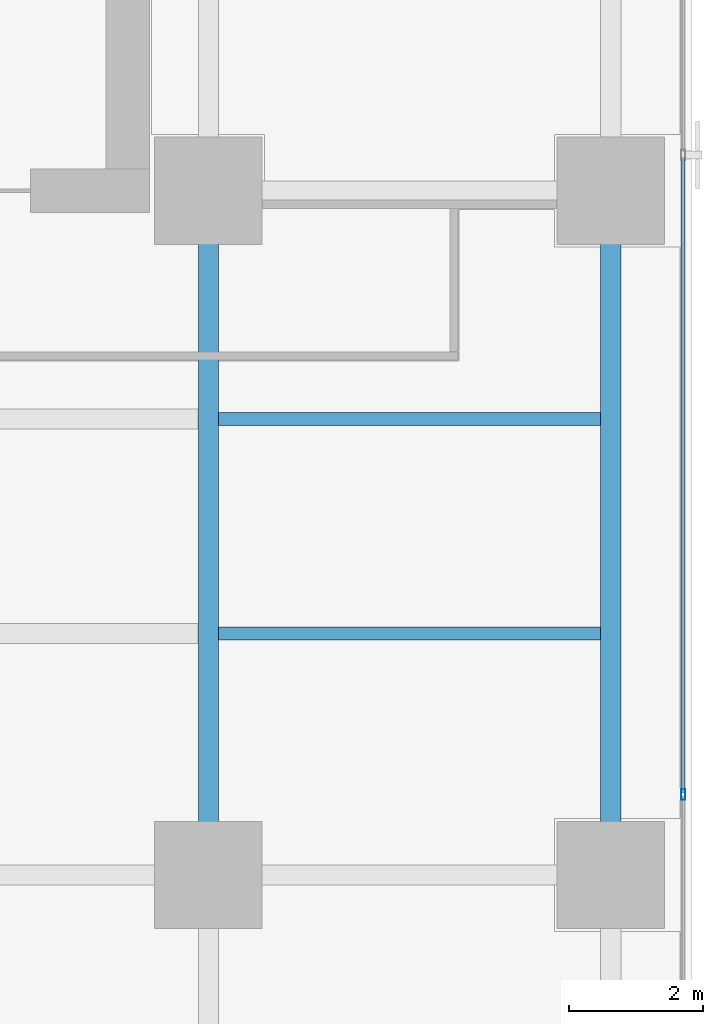
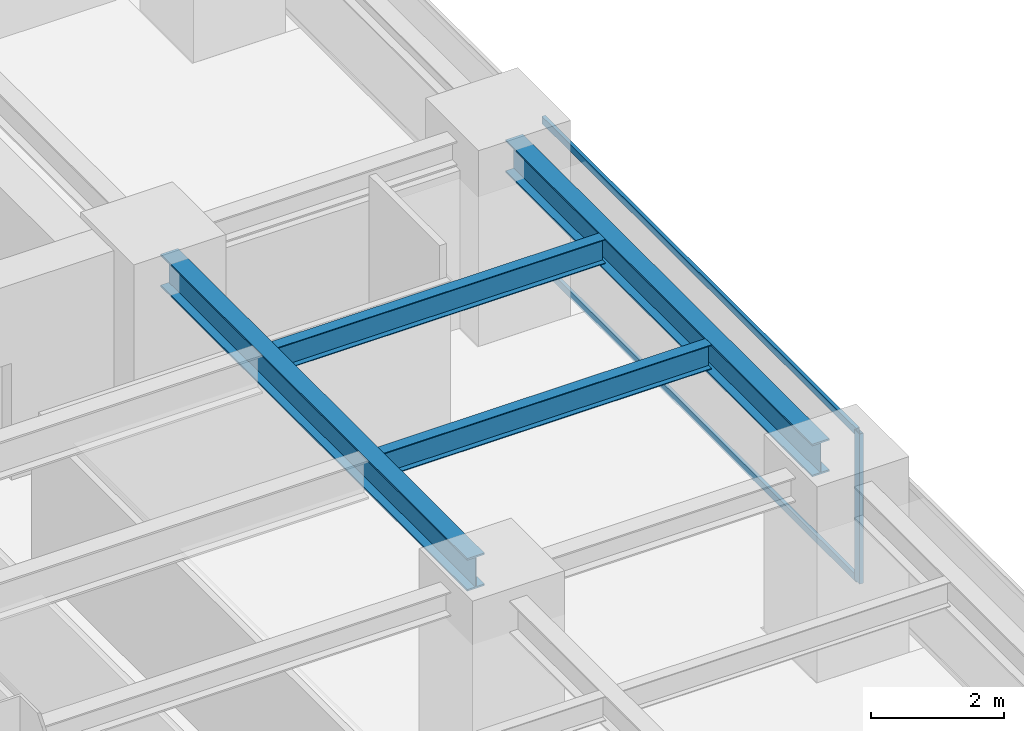
# One storey, part 13 of 27: 4 beams, 3 members, 1 element without a shape of its own.
"""IFC4 building model written with IfcOpenShell, lengths in metres."""

from ifc_helpers import new_model, si_unit, direction, frame, origin, origin_2d, place, context, subcontext, project, spatial, hollow_rectangle, i_section, extrude, source, transform, mapped, material, layer, layer_set, material_profile, profile_set, type_object, element, aggregate, save


model = new_model("IFC4")

# Units and contexts
model_context = context("Model", 3, precision=1e-05, world=origin(), true_north=direction((0.0, 1.0)))
body_context = subcontext(model_context, "Body", "Model", "MODEL_VIEW")
ifc_project = project(units=[si_unit("LENGTHUNIT", "METRE"), si_unit("AREAUNIT", "SQUARE_METRE"), si_unit("VOLUMEUNIT", "CUBIC_METRE"), si_unit("PLANEANGLEUNIT", "RADIAN"), si_unit("MASSUNIT", "GRAM", prefix="KILO")], contexts=[model_context])

# Site, building, storey
site_placement = place(None, origin())
site = spatial("IfcSite", under=ifc_project, at=site_placement, CompositionType="ELEMENT")
building_placement = place(site_placement, origin())
building = spatial("IfcBuilding", under=site, at=building_placement, Name="Sumidabori Civic Tower", CompositionType="ELEMENT")
storey_placement = place(building_placement, frame((0.0, 0.0, 138.800048828125)))
storey = spatial("IfcBuildingStorey", under=building, at=storey_placement, Name="L35", CompositionType="ELEMENT", Elevation=138.800048828125)

# Beams
ifc_material_1 = material(Name="Steel SN490", Category="steel")
ifc_material_profile_1 = material_profile(ifc_material_1, i_section(OverallWidth=0.300048828125, OverallDepth=0.60009765625, WebThickness=0.015380859375, FlangeThickness=0.030029296875, at=origin_2d()), Name="HE 600 B")
ifc_profile_set_1 = profile_set([ifc_material_profile_1], Name="Steel SN490")
beam_type_1 = type_object("IfcBeamType", Name="BM-GIRD-600", PredefinedType="BEAM", material=ifc_profile_set_1)
shared_shape_1 = source(origin(), body_context, "Body", "SweptSolid", [
    extrude(i_section(OverallWidth=0.300048828125, OverallDepth=0.60009765625, WebThickness=0.015380859375, FlangeThickness=0.030029296875, at=origin_2d()), origin(), (0.0, 0.0, 1.0), 9.239990234375),
])
for number, where, z_axis, x_axis, name in (
    (1, (16.800048828125, 0.47998046875, 3.079833984375), (0.0, 1.0, 0.0), (-1.0, 0.0, 0.0), "Primary Girder L35 GY-34"),
    (2, (22.800048828125, 0.47998046875, 3.079833984375), (0.0, 1.0, 0.0), (-1.0, 0.0, 0.0), "Primary Girder L35 GY-37"),
):
    element("IfcBeam", number, at=place(storey_placement, frame(where, z_axis=z_axis, x_axis=x_axis)), inside=storey, type_object=beam_type_1, Name=name, PredefinedType="BEAM", context=body_context, shape_type="MappedRepresentation", body=[
        mapped(shared_shape_1, transform((0.0, 0.0, 0.0), x_axis=(1.0, 0.0, 0.0), y_axis=(0.0, 1.0, 0.0), z_axis=(0.0, 0.0, 1.0), scale=1.0)),
    ])
ifc_material_profile_2 = material_profile(ifc_material_1, i_section(OverallWidth=0.18994140625, OverallDepth=0.449951171875, WebThickness=0.009521484375, FlangeThickness=0.0146484375, at=origin_2d()), Name="IPE 450")
ifc_profile_set_2 = profile_set([ifc_material_profile_2], Name="Steel SN490")
beam_type_2 = type_object("IfcBeamType", Name="BM-JST-450", PredefinedType="JOIST", material=ifc_profile_set_2)
shared_shape_2 = source(origin(), body_context, "Body", "SweptSolid", [
    extrude(i_section(OverallWidth=0.18994140625, OverallDepth=0.449951171875, WebThickness=0.009521484375, FlangeThickness=0.0146484375, at=origin_2d()), origin(), (0.0, 0.0, 1.0), 5.699951171875),
])
for number, where, z_axis, x_axis, name in (
    (3, (16.949951171875, 3.60009765625, 3.155029296875), (1.0, 0.0, 0.0), (0.0, 1.0, 0.0), "Outer Bay Floor Joist L35 JSTO-44"),
    (4, (16.949951171875, 6.800048828125, 3.155029296875), (1.0, 0.0, 0.0), (0.0, 1.0, 0.0), "Outer Bay Floor Joist L35 JSTO-46"),
):
    element("IfcBeam", number, at=place(storey_placement, frame(where, z_axis=z_axis, x_axis=x_axis)), inside=storey, type_object=beam_type_2, Name=name, PredefinedType="JOIST", context=body_context, shape_type="MappedRepresentation", body=[
        mapped(shared_shape_2, transform((0.0, 0.0, 0.0), x_axis=(1.0, 0.0, 0.0), y_axis=(0.0, 1.0, 0.0), z_axis=(0.0, 0.0, 1.0), scale=1.0)),
    ])

# Curtain wall, members
ifc_material_2 = material(Name="Anodised Bronze Aluminium AW-6063-T6", Category="aluminium")
ifc_layer = layer(ifc_material_2, 0.179931640625, Name="Anodised Bronze Aluminium AW-6063-T6")
ifc_layer_set = layer_set([ifc_layer], Name="Anodised Bronze Aluminium AW-6063-T6")
curtain_wall_type = type_object("IfcCurtainWallType", Name="CW-SYS-3", PredefinedType="NOTDEFINED", material=ifc_layer_set)
curtain_wall_placement = place(storey_placement, origin())
curtain_wall = element("IfcCurtainWall", 5, at=curtain_wall_placement, inside=storey, type_object=curtain_wall_type, Name="Curtain Wall CW:L35:R04", PredefinedType="NOTDEFINED")
ifc_material_profile_3 = material_profile(ifc_material_2, hollow_rectangle(XDim=0.06494140625, YDim=0.159912109375, WallThickness=0.0048828125, at=origin_2d()), Name="ALU MULLION 160x65")
ifc_profile_set_3 = profile_set([ifc_material_profile_3], Name="Anodised Bronze Aluminium AW-6063-T6")
member_type_1 = type_object("IfcMemberType", Name="CW-MUL-160", PredefinedType="MULLION", material=ifc_profile_set_3)
shared_shape_3 = source(origin(), body_context, "Body", "SweptSolid", [
    extrude(hollow_rectangle(XDim=0.06494140625, YDim=0.159912109375, WallThickness=0.0048828125, at=origin_2d()), origin(), (0.0, 0.0, 1.0), 2.760009765625),
])
member_1_placement = place(storey_placement, frame((23.8798828125, 1.199951171875, 0.0), z_axis=(0.0, 0.0, 1.0), x_axis=(-1.0, 0.0, 0.0)))
member_1 = element("IfcMember", 6, at=member_1_placement, type_object=member_type_1, Name="CW-3 mullion 3", PredefinedType="MULLION", context=body_context, shape_type="MappedRepresentation", body=[
    mapped(shared_shape_3, transform((0.0, 0.0, 0.0), x_axis=(1.0, 0.0, 0.0), y_axis=(0.0, 1.0, 0.0), z_axis=(0.0, 0.0, 1.0), scale=1.0)),
])
ifc_material_profile_4 = material_profile(ifc_material_2, hollow_rectangle(XDim=0.06005859375, YDim=0.1298828125, WallThickness=0.0048828125, at=origin_2d()), Name="ALU TRANSOM 130x60")
ifc_profile_set_4 = profile_set([ifc_material_profile_4], Name="Anodised Bronze Aluminium AW-6063-T6")
member_type_2 = type_object("IfcMemberType", Name="CW-TRN-130", PredefinedType="USERDEFINED", material=ifc_profile_set_4)
shared_shape_4 = source(origin(), body_context, "Body", "SweptSolid", [
    extrude(hollow_rectangle(XDim=0.06005859375, YDim=0.1298828125, WallThickness=0.0048828125, at=origin_2d()), origin(), (0.0, 0.0, 1.0), 9.469970703125),
])
member_2_placement = place(storey_placement, frame((23.8798828125, 1.232421875, 0.030029296875), z_axis=(0.0, 1.0, 0.0), x_axis=(-1.0, 0.0, 0.0)))
member_2 = element("IfcMember", 7, at=member_2_placement, type_object=member_type_2, Name="CW-3 transom 3.1", ObjectType="TRANSOM", PredefinedType="USERDEFINED", context=body_context, shape_type="MappedRepresentation", body=[
    mapped(shared_shape_4, transform((0.0, 0.0, 0.0), x_axis=(1.0, 0.0, 0.0), y_axis=(0.0, 1.0, 0.0), z_axis=(0.0, 0.0, 1.0), scale=1.0)),
])
member_3_placement = place(storey_placement, frame((23.8798828125, 1.232421875, 2.72998046875), z_axis=(0.0, 1.0, 0.0), x_axis=(-1.0, 0.0, 0.0)))
member_3 = element("IfcMember", 8, at=member_3_placement, type_object=member_type_2, Name="CW-3 transom 3.2", ObjectType="TRANSOM", PredefinedType="USERDEFINED", context=body_context, shape_type="MappedRepresentation", body=[
    mapped(shared_shape_4, transform((0.0, 0.0, 0.0), x_axis=(1.0, 0.0, 0.0), y_axis=(0.0, 1.0, 0.0), z_axis=(0.0, 0.0, 1.0), scale=1.0)),
])
aggregate(curtain_wall, [member_1, member_2, member_3])

save(model, "model.ifc")
